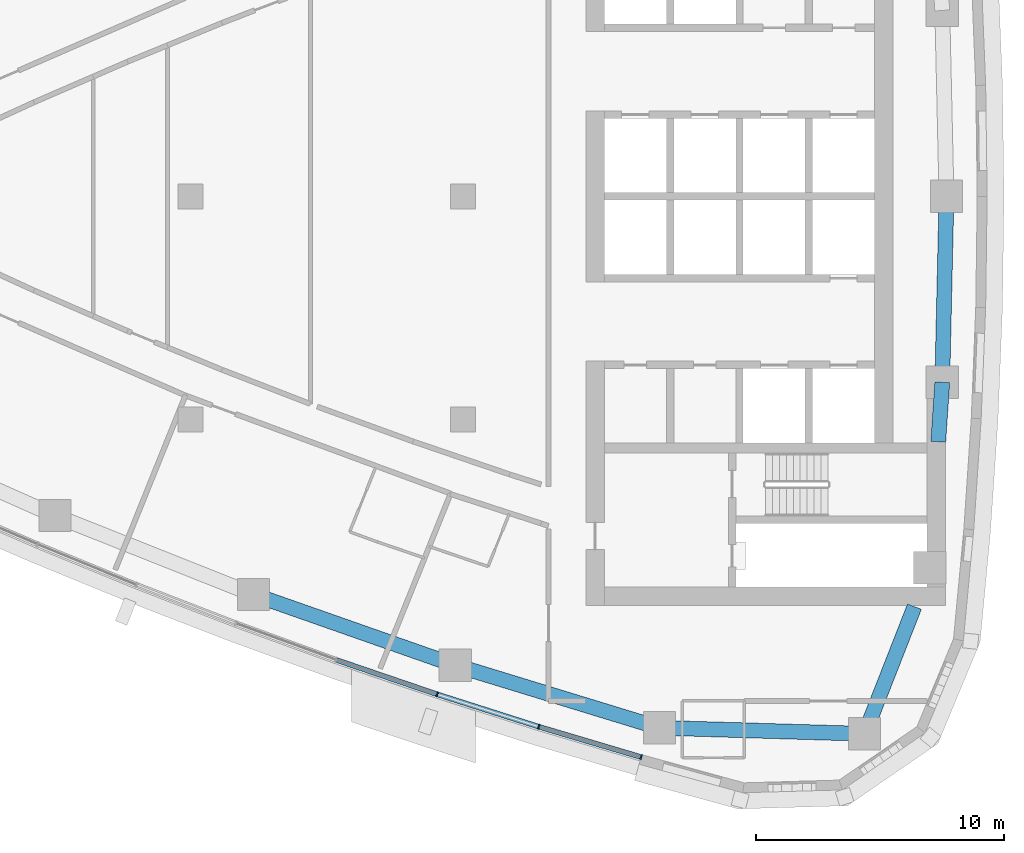
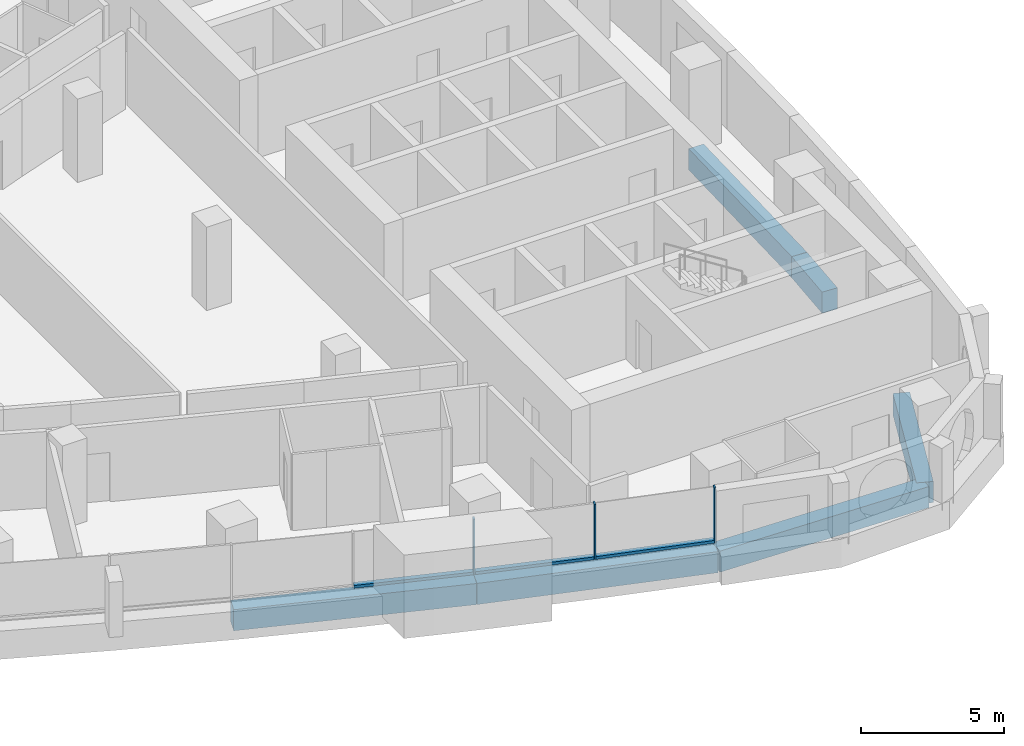
# One storey, part 4 of 17: 6 beams, 6 members, 2 elements without a shape of their own.
"""IFC4 building model written with IfcOpenShell, lengths in metres."""

from ifc_helpers import new_model, si_unit, direction, frame, origin, origin_2d, place, context, subcontext, project, spatial, rectangle, extrude, material, layer, layer_set, material_profile, profile_set, type_object, element, aggregate, save


model = new_model("IFC4")

# Units and contexts
model_context = context("Model", 3, precision=1e-05, world=origin(), true_north=direction((0.0, 1.0)))
body_context = subcontext(model_context, "Body", "Model", "MODEL_VIEW")
ifc_project = project(units=[si_unit("LENGTHUNIT", "METRE"), si_unit("AREAUNIT", "SQUARE_METRE"), si_unit("VOLUMEUNIT", "CUBIC_METRE"), si_unit("PLANEANGLEUNIT", "RADIAN"), si_unit("MASSUNIT", "GRAM", prefix="KILO")], contexts=[model_context])

# Site, building, storey
site_placement = place(None, origin())
site = spatial("IfcSite", under=ifc_project, at=site_placement, CompositionType="ELEMENT")
building_placement = place(site_placement, origin())
building = spatial("IfcBuilding", under=site, at=building_placement, Name="Ostrand Prow Hotel Tower", CompositionType="ELEMENT")
storey_placement = place(building_placement, frame((0.0, 0.0, 182.60009765625)))
storey = spatial("IfcBuildingStorey", under=building, at=storey_placement, Name="L45", CompositionType="ELEMENT", Elevation=182.60009765625)

# Beams
ifc_material_1 = material(Name="Concrete C60/75", Category="concrete")
ifc_material_profile_1 = material_profile(ifc_material_1, rectangle(XDim=0.60009765625, YDim=0.89990234375, at=origin_2d()), Name="RC 600x900")
ifc_profile_set_1 = profile_set([ifc_material_profile_1], Name="Concrete C60/75")
beam_type = type_object("IfcBeamType", Name="Edge beam 600x900 C60/75", PredefinedType="SPANDREL", material=ifc_profile_set_1)
for number, where, z_axis, x_axis, name in (
    (1, (36.547119140625, -16.060791015625, -0.75), (0.943593618681, -0.33110584831, 0.0), (0.33110584831, 0.943593618681, 0.0), "Edge beam S4-S5"),
    (2, (44.6826171875, -18.91552734375, -0.75), (0.956245556413, -0.292565267659, 0.0), (0.292565267659, 0.956245556413, 0.0), "Edge beam S5-S6"),
):
    element("IfcBeam", number, at=place(storey_placement, frame(where, z_axis=z_axis, x_axis=x_axis)), inside=storey, type_object=beam_type, Name=name, PredefinedType="SPANDREL", context=body_context, shape_type="SweptSolid", body=[
        extrude(rectangle(XDim=0.60009765625, YDim=0.89990234375, at=origin_2d()), origin(), (0.0, 0.0, 1.0), 8.621826171875),
    ])
beam_1_placement = place(storey_placement, frame((52.92724609375, -21.43798828125, -0.75), z_axis=(0.999575901438, -0.029120735993, 0.0), x_axis=(0.029120735993, 0.999575901438, 0.0)))
element("IfcBeam", 3, at=beam_1_placement, inside=storey, type_object=beam_type, Name="Edge beam S6-SE", PredefinedType="SPANDREL", context=body_context, shape_type="SweptSolid", body=[
    extrude(rectangle(XDim=0.60009765625, YDim=0.89990234375, at=origin_2d()), origin(), (0.0, 0.0, 1.0), 8.274658203125),
])
beam_2_placement = place(storey_placement, frame((61.198486328125, -21.678955078125, -0.75), z_axis=(0.364802049817, 0.931085100541, 0.0), x_axis=(-0.931085100541, 0.364802049817, 0.0)))
element("IfcBeam", 4, at=beam_2_placement, inside=storey, type_object=beam_type, Name="Edge beam SE-B1", PredefinedType="SPANDREL", context=body_context, shape_type="SweptSolid", body=[
    extrude(rectangle(XDim=0.60009765625, YDim=0.89990234375, at=origin_2d()), origin(), (0.0, 0.0, 1.0), 5.508544921875),
])
beam_3_placement = place(storey_placement, frame((64.167236328125, -9.89990234375, -0.75), z_axis=(0.067778284608, 0.997700408006, 0.0), x_axis=(-0.997700408006, 0.067778284608, 0.0)))
element("IfcBeam", 5, at=beam_3_placement, inside=storey, type_object=beam_type, Name="Edge beam B1-B2", PredefinedType="SPANDREL", context=body_context, shape_type="SweptSolid", body=[
    extrude(rectangle(XDim=0.60009765625, YDim=0.89990234375, at=origin_2d()), origin(), (0.0, 0.0, 1.0), 2.40625),
])
beam_4_placement = place(storey_placement, frame((64.330322265625, -7.499267578125, -0.75), z_axis=(0.022620118241, 0.999744132391, 0.0), x_axis=(-0.999744132391, 0.022620118241, 0.0)))
element("IfcBeam", 6, at=beam_4_placement, inside=storey, type_object=beam_type, Name="Edge beam B2-B3", PredefinedType="SPANDREL", context=body_context, shape_type="SweptSolid", body=[
    extrude(rectangle(XDim=0.60009765625, YDim=0.89990234375, at=origin_2d()), origin(), (0.0, 0.0, 1.0), 7.501220703125),
])

# Curtain wall, member
ifc_material_2 = material(Name="Insulated glass in bronze anodised frame", Category="glass")
ifc_layer = layer(ifc_material_2, 0.199951171875)
ifc_layer_set = layer_set([ifc_layer], Name="Insulated glass in bronze anodised frame")
curtain_wall_type = type_object("IfcCurtainWallType", Name="Strip curtain wall, fritted glass over bronze spandrel", PredefinedType="NOTDEFINED", material=ifc_layer_set)
curtain_wall_1_placement = place(storey_placement, origin())
curtain_wall_1 = element("IfcCurtainWall", 7, at=curtain_wall_1_placement, inside=storey, type_object=curtain_wall_type, Name="CW1 run CWS4", PredefinedType="NOTDEFINED")
ifc_material_3 = material(Name="Bronze anodised aluminium", Category="aluminium")
ifc_material_profile_2 = material_profile(ifc_material_3, rectangle(XDim=0.199951171875, YDim=0.06005859375, at=origin_2d()), Name="Mullion 60x200 bronze anodised aluminium")
ifc_profile_set_2 = profile_set([ifc_material_profile_2], Name="Bronze anodised aluminium")
member_type_1 = type_object("IfcMemberType", Name="Mullion 60x200 bronze anodised aluminium", PredefinedType="MULLION", material=ifc_profile_set_2)
member_1_placement = place(storey_placement, frame((43.95361328125, -20.086669921875, 0.89990234375), z_axis=(0.0, 0.0, 1.0), x_axis=(0.322908332404, 0.946430245113, 0.0)))
member_1 = element("IfcMember", 8, at=member_1_placement, type_object=member_type_1, Name="CW1 mullion 3", PredefinedType="MULLION", context=body_context, shape_type="SweptSolid", body=[
    extrude(rectangle(XDim=0.199951171875, YDim=0.06005859375, at=origin_2d()), origin(), (0.0, 0.0, 1.0), 2.35009765625),
])

# Curtain wall, members
curtain_wall_2_placement = place(storey_placement, origin())
curtain_wall_2 = element("IfcCurtainWall", 9, at=curtain_wall_2_placement, inside=storey, type_object=curtain_wall_type, Name="CW1 run CWS5", PredefinedType="NOTDEFINED")
member_2_placement = place(storey_placement, frame((48.055419921875, -21.39453125, 0.89990234375), z_axis=(0.0, 0.0, 1.0), x_axis=(0.284544113619, 0.958662947758, 0.0)))
member_2 = element("IfcMember", 10, at=member_2_placement, type_object=member_type_1, Name="CW1 mullion 2", PredefinedType="MULLION", context=body_context, shape_type="SweptSolid", body=[
    extrude(rectangle(XDim=0.199951171875, YDim=0.06005859375, at=origin_2d()), origin(), (0.0, 0.0, 1.0), 2.35009765625),
])
member_3_placement = place(storey_placement, frame((52.182373046875, -22.619384765625, 0.89990234375), z_axis=(0.0, 0.0, 1.0), x_axis=(0.284544113619, 0.958662947758, 0.0)))
member_3 = element("IfcMember", 11, at=member_3_placement, type_object=member_type_1, Name="CW1 mullion 3", PredefinedType="MULLION", context=body_context, shape_type="SweptSolid", body=[
    extrude(rectangle(XDim=0.199951171875, YDim=0.06005859375, at=origin_2d()), origin(), (0.0, 0.0, 1.0), 2.35009765625),
])

# Member
ifc_material_4 = material(Name="Bronze anodised aluminium", Category="aluminium")
ifc_material_profile_3 = material_profile(ifc_material_4, rectangle(XDim=0.199951171875, YDim=0.1201171875, at=origin_2d()), Name="Transom 120x200 bronze anodised aluminium")
ifc_profile_set_3 = profile_set([ifc_material_profile_3], Name="Bronze anodised aluminium")
member_type_2 = type_object("IfcMemberType", Name="Transom 120x200 bronze anodised aluminium", PredefinedType="USERDEFINED", material=ifc_profile_set_3)
member_4_placement = place(storey_placement, frame((39.90771484375, -18.706298828125, 0.9599609375), z_axis=(0.946422327772, -0.322931536852, 0.0), x_axis=(0.322931536852, 0.946422327772, 0.0)))
member_4 = element("IfcMember", 12, at=member_4_placement, type_object=member_type_2, Name="CW1 transom 2.1", ObjectType="TRANSOM", PredefinedType="USERDEFINED", context=body_context, shape_type="SweptSolid", body=[
    extrude(rectangle(XDim=0.199951171875, YDim=0.1201171875, at=origin_2d()), origin(), (0.0, 0.0, 1.0), 4.2451171875),
])

aggregate(curtain_wall_1, [member_1, member_4])

member_5_placement = place(storey_placement, frame((43.982421875, -20.095947265625, 0.9599609375), z_axis=(0.952737512605, -0.303794720289, 0.0), x_axis=(0.303794720289, 0.952737512605, 0.0)))
member_5 = element("IfcMember", 13, at=member_5_placement, type_object=member_type_2, Name="CW1 transom 1.1", ObjectType="TRANSOM", PredefinedType="USERDEFINED", context=body_context, shape_type="SweptSolid", body=[
    extrude(rectangle(XDim=0.199951171875, YDim=0.1201171875, at=origin_2d()), origin(), (0.0, 0.0, 1.0), 4.244873046875),
])

member_6_placement = place(storey_placement, frame((48.083984375, -21.403076171875, 0.9599609375), z_axis=(0.958661084062, -0.284550392558, 0.0), x_axis=(0.284550392558, 0.958661084062, 0.0)))
member_6 = element("IfcMember", 14, at=member_6_placement, type_object=member_type_2, Name="CW1 transom 2.1", ObjectType="TRANSOM", PredefinedType="USERDEFINED", context=body_context, shape_type="SweptSolid", body=[
    extrude(rectangle(XDim=0.199951171875, YDim=0.1201171875, at=origin_2d()), origin(), (0.0, 0.0, 1.0), 4.245361328125),
])

aggregate(curtain_wall_2, [member_2, member_3, member_5, member_6])

save(model, "model.ifc")
